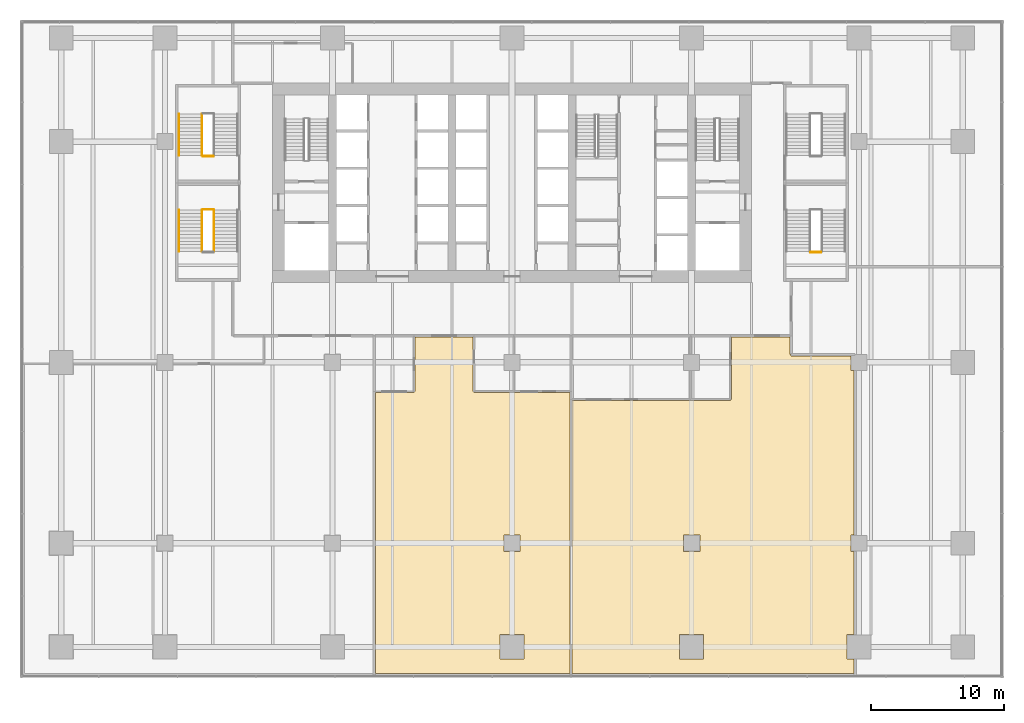
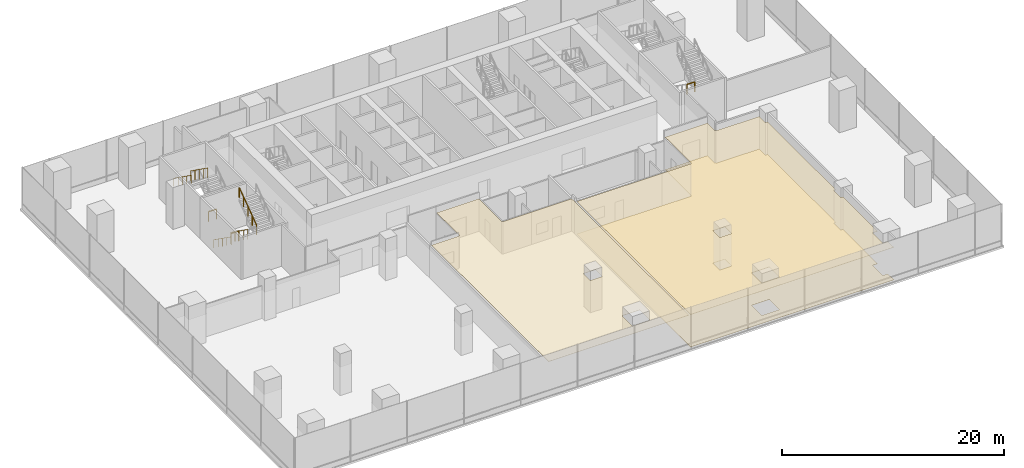
# One storey, part 25 of 28: 8 railings, 3 coverings.
"""IFC4 building model written with IfcOpenShell, lengths in metres."""

from ifc_helpers import new_model, si_unit, direction, frame, origin, origin_2d, place, context, subcontext, project, spatial, polyline, rectangle, outline, extrude, material, layer, layer_set, type_object, element, save


model = new_model("IFC4")

# Units and contexts
model_context = context("Model", 3, precision=1e-05, world=origin(), true_north=direction((0.0, 1.0)))
body_context = subcontext(model_context, "Body", "Model", "MODEL_VIEW")
ifc_project = project(units=[si_unit("LENGTHUNIT", "METRE"), si_unit("AREAUNIT", "SQUARE_METRE"), si_unit("VOLUMEUNIT", "CUBIC_METRE"), si_unit("PLANEANGLEUNIT", "RADIAN"), si_unit("MASSUNIT", "GRAM", prefix="KILO")], contexts=[model_context])

# Site, building, storey
site_placement = place(None, origin())
site = spatial("IfcSite", under=ifc_project, at=site_placement, CompositionType="ELEMENT")
building_placement = place(site_placement, origin())
building = spatial("IfcBuilding", under=site, at=building_placement, Name="Rattan Terrace Tower", CompositionType="ELEMENT")
storey_placement = place(building_placement, frame((0.0, 0.0, 17.39990234375)))
storey = spatial("IfcBuildingStorey", under=building, at=storey_placement, Name="L03", CompositionType="ELEMENT", Elevation=17.39990234375)

# Railings
ifc_material_1 = material(Name="Powder-coated steel guard", Category="steel")
railing_type_1 = type_object("IfcRailingType", Name="Core stair guard", PredefinedType="GUARDRAIL", material=ifc_material_1)
railing_1_placement = place(storey_placement, frame((-23.300048828125, -2.050048828125, 0.184814453125)))
element("IfcRailing", 1, at=railing_1_placement, inside=storey, type_object=railing_type_1, Name="L03 S4 stair guard 1", PredefinedType="GUARDRAIL", context=body_context, shape_type="SweptSolid", body=[
    extrude(rectangle(XDim=0.048095703125, YDim=0.048095703125, at=origin_2d()), frame((0.0, 0.0, 1.076171875), z_axis=(0.0, -0.815355575968, 0.57896052088), x_axis=(1.0, 0.0, 0.0)), (0.0, 0.0, 1.0), 3.826416015625),
    extrude(rectangle(XDim=0.0419921875, YDim=0.0419921875, at=origin_2d()), origin(), (0.0, 0.0, 1.0), 1.052001953125),
    extrude(rectangle(XDim=0.0419921875, YDim=0.0419921875, at=origin_2d()), frame((0.0, -0.780029296875, 0.5537109375)), (0.0, 0.0, 1.0), 1.052001953125),
    extrude(rectangle(XDim=0.0419921875, YDim=0.0419921875, at=origin_2d()), frame((0.0, -1.56005859375, 1.107666015625)), (0.0, 0.0, 1.0), 1.052001953125),
    extrude(rectangle(XDim=0.0419921875, YDim=0.0419921875, at=origin_2d()), frame((0.0, -2.33984375, 1.66162109375)), (0.0, 0.0, 1.0), 1.052001953125),
    extrude(rectangle(XDim=0.0419921875, YDim=0.0419921875, at=origin_2d()), frame((0.0, -3.119873046875, 2.21533203125)), (0.0, 0.0, 1.0), 1.052001953125),
])
railing_2_placement = place(storey_placement, frame((-22.39990234375, -5.169921875, 2.584716796875)))
element("IfcRailing", 2, at=railing_2_placement, inside=storey, type_object=railing_type_1, Name="L03 S4 stair guard 3", PredefinedType="GUARDRAIL", context=body_context, shape_type="SweptSolid", body=[
    extrude(rectangle(XDim=0.048095703125, YDim=0.048095703125, at=origin_2d()), frame((0.0, 0.0, 1.076171875), z_axis=(0.0, 0.815355575968, 0.57896052088), x_axis=(-1.0, 0.0, 0.0)), (0.0, 0.0, 1.0), 3.826416015625),
    extrude(rectangle(XDim=0.0419921875, YDim=0.0419921875, at=origin_2d()), origin(), (0.0, 0.0, 1.0), 1.052001953125),
    extrude(rectangle(XDim=0.0419921875, YDim=0.0419921875, at=origin_2d()), frame((0.0, 0.780029296875, 0.5537109375)), (0.0, 0.0, 1.0), 1.052001953125),
    extrude(rectangle(XDim=0.0419921875, YDim=0.0419921875, at=origin_2d()), frame((0.0, 1.56005859375, 1.107666015625)), (0.0, 0.0, 1.0), 1.052001953125),
    extrude(rectangle(XDim=0.0419921875, YDim=0.0419921875, at=origin_2d()), frame((0.0, 2.33984375, 1.66162109375)), (0.0, 0.0, 1.0), 1.052001953125),
    extrude(rectangle(XDim=0.0419921875, YDim=0.0419921875, at=origin_2d()), frame((0.0, 3.119873046875, 2.21533203125)), (0.0, 0.0, 1.0), 1.052001953125),
])
railing_3_placement = place(storey_placement, frame((-23.25, -2.0, 0.0)))
element("IfcRailing", 3, at=railing_3_placement, inside=storey, type_object=railing_type_1, Name="L03 S4 stair guard 4", PredefinedType="GUARDRAIL", context=body_context, shape_type="SweptSolid", body=[
    extrude(rectangle(XDim=0.048095703125, YDim=0.048095703125, at=origin_2d()), frame((0.0, 0.0, 1.076171875), z_axis=(1.0, 0.0, 0.0), x_axis=(0.0, 1.0, 0.0)), (0.0, 0.0, 1.0), 0.800048828125),
    extrude(rectangle(XDim=0.0419921875, YDim=0.0419921875, at=origin_2d()), origin(), (0.0, 0.0, 1.0), 1.052001953125),
    extrude(rectangle(XDim=0.0419921875, YDim=0.0419921875, at=origin_2d()), frame((0.800048828125, 0.0, 0.0)), (0.0, 0.0, 1.0), 1.052001953125),
])
railing_4_placement = place(storey_placement, frame((-23.300048828125, 5.169921875, 2.584716796875)))
element("IfcRailing", 4, at=railing_4_placement, inside=storey, type_object=railing_type_1, Name="L03 S5 stair guard 3", PredefinedType="GUARDRAIL", context=body_context, shape_type="SweptSolid", body=[
    extrude(rectangle(XDim=0.048095703125, YDim=0.048095703125, at=origin_2d()), frame((0.0, 0.0, 1.076171875), z_axis=(0.0, -0.815355575968, 0.57896052088), x_axis=(1.0, 0.0, 0.0)), (0.0, 0.0, 1.0), 3.826416015625),
    extrude(rectangle(XDim=0.0419921875, YDim=0.0419921875, at=origin_2d()), origin(), (0.0, 0.0, 1.0), 1.052001953125),
    extrude(rectangle(XDim=0.0419921875, YDim=0.0419921875, at=origin_2d()), frame((0.0, -0.780029296875, 0.5537109375)), (0.0, 0.0, 1.0), 1.052001953125),
    extrude(rectangle(XDim=0.0419921875, YDim=0.0419921875, at=origin_2d()), frame((0.0, -1.56005859375, 1.107666015625)), (0.0, 0.0, 1.0), 1.052001953125),
    extrude(rectangle(XDim=0.0419921875, YDim=0.0419921875, at=origin_2d()), frame((0.0, -2.33984375, 1.66162109375)), (0.0, 0.0, 1.0), 1.052001953125),
    extrude(rectangle(XDim=0.0419921875, YDim=0.0419921875, at=origin_2d()), frame((0.0, -3.119873046875, 2.21533203125)), (0.0, 0.0, 1.0), 1.052001953125),
])
railing_5_placement = place(storey_placement, frame((-22.449951171875, 2.0, 0.0)))
element("IfcRailing", 5, at=railing_5_placement, inside=storey, type_object=railing_type_1, Name="L03 S5 stair guard 4", PredefinedType="GUARDRAIL", context=body_context, shape_type="SweptSolid", body=[
    extrude(rectangle(XDim=0.048095703125, YDim=0.048095703125, at=origin_2d()), frame((0.0, 0.0, 1.076171875), z_axis=(-1.0, 0.0, 0.0), x_axis=(0.0, -1.0, 0.0)), (0.0, 0.0, 1.0), 0.800048828125),
    extrude(rectangle(XDim=0.0419921875, YDim=0.0419921875, at=origin_2d()), origin(), (0.0, 0.0, 1.0), 1.052001953125),
    extrude(rectangle(XDim=0.0419921875, YDim=0.0419921875, at=origin_2d()), frame((-0.800048828125, 0.0, 0.0)), (0.0, 0.0, 1.0), 1.052001953125),
])
railing_6_placement = place(storey_placement, frame((22.449951171875, -5.219970703125, 2.400146484375)))
element("IfcRailing", 6, at=railing_6_placement, inside=storey, type_object=railing_type_1, Name="L03 S6 stair guard 2", PredefinedType="GUARDRAIL", context=body_context, shape_type="SweptSolid", body=[
    extrude(rectangle(XDim=0.048095703125, YDim=0.048095703125, at=origin_2d()), frame((0.0, 0.0, 1.076171875), z_axis=(1.0, 0.0, 0.0), x_axis=(0.0, 1.0, 0.0)), (0.0, 0.0, 1.0), 0.800048828125),
    extrude(rectangle(XDim=0.0419921875, YDim=0.0419921875, at=origin_2d()), origin(), (0.0, 0.0, 1.0), 1.052001953125),
    extrude(rectangle(XDim=0.0419921875, YDim=0.0419921875, at=origin_2d()), frame((0.800048828125, 0.0, 0.0)), (0.0, 0.0, 1.0), 1.052001953125),
])
ifc_material_2 = material(Name="Powder-coated steel handrail", Category="steel")
railing_type_2 = type_object("IfcRailingType", Name="Core stair handrail", PredefinedType="HANDRAIL", material=ifc_material_2)
for number, where, name in (
    (7, (-25.050048828125, -2.050048828125, 0.184814453125), "L03 S4 stair handrail 1"),
    (8, (-25.050048828125, 5.169921875, 2.584716796875), "L03 S5 stair handrail 2"),
):
    element("IfcRailing", number, at=place(storey_placement, frame(where)), inside=storey, type_object=railing_type_2, Name=name, PredefinedType="HANDRAIL", context=body_context, shape_type="SweptSolid", body=[
        extrude(rectangle(XDim=0.048095703125, YDim=0.048095703125, at=origin_2d()), frame((0.0, 0.0, 0.8759765625), z_axis=(0.0, -0.815355575968, 0.57896052088), x_axis=(1.0, 0.0, 0.0)), (0.0, 0.0, 1.0), 3.826416015625),
        extrude(rectangle(XDim=0.0419921875, YDim=0.0419921875, at=origin_2d()), origin(), (0.0, 0.0, 1.0), 0.851806640625),
        extrude(rectangle(XDim=0.0419921875, YDim=0.0419921875, at=origin_2d()), frame((0.0, -0.780029296875, 0.5537109375)), (0.0, 0.0, 1.0), 0.851806640625),
        extrude(rectangle(XDim=0.0419921875, YDim=0.0419921875, at=origin_2d()), frame((0.0, -1.56005859375, 1.107666015625)), (0.0, 0.0, 1.0), 0.851806640625),
        extrude(rectangle(XDim=0.0419921875, YDim=0.0419921875, at=origin_2d()), frame((0.0, -2.33984375, 1.66162109375)), (0.0, 0.0, 1.0), 0.851806640625),
        extrude(rectangle(XDim=0.0419921875, YDim=0.0419921875, at=origin_2d()), frame((0.0, -3.119873046875, 2.21533203125)), (0.0, 0.0, 1.0), 0.851806640625),
    ])

# Coverings
ifc_material_3 = material(Name="Polished limestone", Category="masonry")
ifc_layer_1 = layer(ifc_material_3, 0.02001953125)
ifc_layer_set_1 = layer_set([ifc_layer_1], Name="Lobby Floor Finish Stone 20")
covering_type_1 = type_object("IfcCoveringType", Name="Lobby Floor Finish Stone 20", PredefinedType="FLOORING", material=ifc_layer_set_1)
covering_1_placement = place(storey_placement, origin())
element("IfcCovering", 9, at=covering_1_placement, inside=storey, type_object=covering_type_1, Name="Floor finish L03-113", PredefinedType="FLOORING", context=body_context, shape_type="SweptSolid", body=[
    extrude(outline(polyline([(4.530029296875, -16.35009765625), (4.530029296875, -36.909912109375), (25.7099609375, -36.909912109375), (25.7099609375, -35.820068359375), (25.199951171875, -35.820068359375), (25.197998046875, -35.820068359375), (25.196044921875, -35.820068359375), (25.194091796875, -35.819091796875), (25.19189453125, -35.819091796875), (25.18994140625, -35.818115234375), (25.18896484375, -35.81689453125), (25.18701171875, -35.81591796875), (25.18603515625, -35.81396484375), (25.18408203125, -35.81298828125), (25.18310546875, -35.81103515625), (25.181884765625, -35.81005859375), (25.180908203125, -35.80810546875), (25.180908203125, -35.805908203125), (25.179931640625, -35.803955078125), (25.179931640625, -35.802001953125), (25.179931640625, -35.800048828125), (25.179931640625, -34.0), (25.179931640625, -33.998046875), (25.179931640625, -33.99609375), (25.180908203125, -33.993896484375), (25.180908203125, -33.991943359375), (25.181884765625, -33.989990234375), (25.18310546875, -33.989013671875), (25.18408203125, -33.987060546875), (25.18603515625, -33.986083984375), (25.18701171875, -33.98388671875), (25.18896484375, -33.98291015625), (25.18994140625, -33.98193359375), (25.19189453125, -33.98095703125), (25.194091796875, -33.98095703125), (25.196044921875, -33.97998046875), (25.197998046875, -33.97998046875), (25.199951171875, -33.97998046875), (25.7099609375, -33.97998046875), (25.7099609375, -27.719970703125), (25.5, -27.719970703125), (25.498046875, -27.719970703125), (25.49609375, -27.719970703125), (25.493896484375, -27.718994140625), (25.491943359375, -27.718994140625), (25.489990234375, -27.718017578125), (25.489013671875, -27.717041015625), (25.487060546875, -27.716064453125), (25.486083984375, -27.714111328125), (25.48388671875, -27.712890625), (25.48291015625, -27.7109375), (25.48193359375, -27.7099609375), (25.48095703125, -27.7080078125), (25.48095703125, -27.7060546875), (25.47998046875, -27.7041015625), (25.47998046875, -27.701904296875), (25.47998046875, -27.699951171875), (25.47998046875, -26.5), (25.47998046875, -26.498046875), (25.47998046875, -26.49609375), (25.48095703125, -26.493896484375), (25.48095703125, -26.491943359375), (25.48193359375, -26.489990234375), (25.48291015625, -26.489013671875), (25.48388671875, -26.487060546875), (25.486083984375, -26.486083984375), (25.487060546875, -26.48388671875), (25.489013671875, -26.48291015625), (25.489990234375, -26.48193359375), (25.491943359375, -26.48095703125), (25.493896484375, -26.48095703125), (25.49609375, -26.47998046875), (25.498046875, -26.47998046875), (25.5, -26.47998046875), (25.7099609375, -26.47998046875), (25.7099609375, -14.1201171875), (25.5, -14.1201171875), (25.498046875, -14.1201171875), (25.49609375, -14.1201171875), (25.493896484375, -14.118896484375), (25.491943359375, -14.118896484375), (25.489990234375, -14.117919921875), (25.489013671875, -14.116943359375), (25.487060546875, -14.115966796875), (25.486083984375, -14.114013671875), (25.48388671875, -14.113037109375), (25.48291015625, -14.111083984375), (25.48193359375, -14.110107421875), (25.48095703125, -14.10791015625), (25.48095703125, -14.10595703125), (25.47998046875, -14.10400390625), (25.47998046875, -14.10205078125), (25.47998046875, -14.10009765625), (25.47998046875, -13.0), (21.0, -13.0), (21.0, -12.909912109375), (20.909912109375, -12.909912109375), (20.909912109375, -11.574951171875), (16.5, -11.574951171875), (16.5, -16.300048828125), (16.43994140625, -16.300048828125), (16.43994140625, -16.360107421875), (13.419921875, -16.360107421875), (13.419921875, -16.35009765625), (4.530029296875, -16.35009765625)]), holes=[polyline([(12.595947265625, -35.820068359375), (12.597900390625, -35.820068359375), (12.60009765625, -35.820068359375), (14.39990234375, -35.820068359375), (14.402099609375, -35.820068359375), (14.404052734375, -35.820068359375), (14.406005859375, -35.819091796875), (14.407958984375, -35.819091796875), (14.409912109375, -35.818115234375), (14.410888671875, -35.81689453125), (14.4130859375, -35.81591796875), (14.4140625, -35.81396484375), (14.416015625, -35.81298828125), (14.4169921875, -35.81103515625), (14.41796875, -35.81005859375), (14.4189453125, -35.80810546875), (14.4189453125, -35.805908203125), (14.419921875, -35.803955078125), (14.419921875, -35.802001953125), (14.419921875, -35.800048828125), (14.419921875, -34.0), (14.419921875, -33.998046875), (14.419921875, -33.99609375), (14.4189453125, -33.993896484375), (14.4189453125, -33.991943359375), (14.41796875, -33.989990234375), (14.4169921875, -33.989013671875), (14.416015625, -33.987060546875), (14.4140625, -33.986083984375), (14.4130859375, -33.98388671875), (14.410888671875, -33.98291015625), (14.409912109375, -33.98193359375), (14.407958984375, -33.98095703125), (14.406005859375, -33.98095703125), (14.404052734375, -33.97998046875), (14.402099609375, -33.97998046875), (14.39990234375, -33.97998046875), (12.60009765625, -33.97998046875), (12.597900390625, -33.97998046875), (12.595947265625, -33.97998046875), (12.593994140625, -33.98095703125), (12.592041015625, -33.98095703125), (12.590087890625, -33.98193359375), (12.589111328125, -33.98291015625), (12.5869140625, -33.98388671875), (12.5859375, -33.986083984375), (12.583984375, -33.987060546875), (12.5830078125, -33.989013671875), (12.58203125, -33.989990234375), (12.5810546875, -33.991943359375), (12.5810546875, -33.993896484375), (12.580078125, -33.99609375), (12.580078125, -33.998046875), (12.580078125, -34.0), (12.580078125, -35.800048828125), (12.580078125, -35.802001953125), (12.580078125, -35.803955078125), (12.5810546875, -35.805908203125), (12.5810546875, -35.80810546875), (12.58203125, -35.81005859375), (12.5830078125, -35.81103515625), (12.583984375, -35.81298828125), (12.5859375, -35.81396484375), (12.5869140625, -35.81591796875), (12.589111328125, -35.81689453125), (12.590087890625, -35.818115234375), (12.592041015625, -35.819091796875), (12.593994140625, -35.819091796875), (12.595947265625, -35.820068359375)]), polyline([(12.889892578125, -27.718017578125), (12.89208984375, -27.718994140625), (12.89404296875, -27.718994140625), (12.89599609375, -27.719970703125), (12.89794921875, -27.719970703125), (12.89990234375, -27.719970703125), (14.10009765625, -27.719970703125), (14.10205078125, -27.719970703125), (14.10400390625, -27.719970703125), (14.10595703125, -27.718994140625), (14.10791015625, -27.718994140625), (14.110107421875, -27.718017578125), (14.111083984375, -27.717041015625), (14.113037109375, -27.716064453125), (14.114013671875, -27.714111328125), (14.115966796875, -27.712890625), (14.116943359375, -27.7109375), (14.117919921875, -27.7099609375), (14.118896484375, -27.7080078125), (14.118896484375, -27.7060546875), (14.1201171875, -27.7041015625), (14.1201171875, -27.701904296875), (14.1201171875, -27.699951171875), (14.1201171875, -26.5), (14.1201171875, -26.498046875), (14.1201171875, -26.49609375), (14.118896484375, -26.493896484375), (14.118896484375, -26.491943359375), (14.117919921875, -26.489990234375), (14.116943359375, -26.489013671875), (14.115966796875, -26.487060546875), (14.114013671875, -26.486083984375), (14.113037109375, -26.48388671875), (14.111083984375, -26.48291015625), (14.110107421875, -26.48193359375), (14.10791015625, -26.48095703125), (14.10595703125, -26.48095703125), (14.10400390625, -26.47998046875), (14.10205078125, -26.47998046875), (14.10009765625, -26.47998046875), (12.89990234375, -26.47998046875), (12.89794921875, -26.47998046875), (12.89599609375, -26.47998046875), (12.89404296875, -26.48095703125), (12.89208984375, -26.48095703125), (12.889892578125, -26.48193359375), (12.888916015625, -26.48291015625), (12.886962890625, -26.48388671875), (12.885986328125, -26.486083984375), (12.884033203125, -26.487060546875), (12.883056640625, -26.489013671875), (12.882080078125, -26.489990234375), (12.881103515625, -26.491943359375), (12.881103515625, -26.493896484375), (12.8798828125, -26.49609375), (12.8798828125, -26.498046875), (12.8798828125, -26.5), (12.8798828125, -27.699951171875), (12.8798828125, -27.701904296875), (12.8798828125, -27.7041015625), (12.881103515625, -27.7060546875), (12.881103515625, -27.7080078125), (12.882080078125, -27.7099609375), (12.883056640625, -27.7109375), (12.884033203125, -27.712890625), (12.885986328125, -27.714111328125), (12.886962890625, -27.716064453125), (12.888916015625, -27.717041015625), (12.889892578125, -27.718017578125)])]), origin(), (0.0, 0.0, 1.0), 0.02001953125),
])
ifc_material_4 = material(Name="Gypsum board, painted")
ifc_layer_2 = layer(ifc_material_4, 0.02490234375)
ifc_layer_set_2 = layer_set([ifc_layer_2], Name="Suspended Ceiling Gypsum 25")
covering_type_2 = type_object("IfcCoveringType", Name="Suspended Ceiling Gypsum 25", PredefinedType="CEILING", material=ifc_layer_set_2)
covering_2_placement = place(storey_placement, frame((0.0, 0.0, 3.5751953125)))
element("IfcCovering", 10, at=covering_2_placement, inside=storey, type_object=covering_type_2, Name="Ceiling L03-109", PredefinedType="CEILING", context=body_context, shape_type="SweptSolid", body=[
    extrude(outline(polyline([(-10.27001953125, -15.75), (-10.27001953125, -36.909912109375), (4.35009765625, -36.909912109375), (4.35009765625, -15.75), (0.159912109375, -15.75), (0.159912109375, -15.760009765625), (-2.860107421875, -15.760009765625), (-2.860107421875, -15.699951171875), (-2.919921875, -15.699951171875), (-2.919921875, -11.574951171875), (-7.31005859375, -11.574951171875), (-7.31005859375, -15.699951171875), (-7.360107421875, -15.699951171875), (-7.360107421875, -15.75), (-10.27001953125, -15.75)]), holes=[polyline([(-0.906005859375, -35.819091796875), (-0.904052734375, -35.820068359375), (-0.902099609375, -35.820068359375), (-0.89990234375, -35.820068359375), (0.89990234375, -35.820068359375), (0.902099609375, -35.820068359375), (0.904052734375, -35.820068359375), (0.906005859375, -35.819091796875), (0.907958984375, -35.819091796875), (0.909912109375, -35.818115234375), (0.910888671875, -35.81689453125), (0.9130859375, -35.81591796875), (0.9140625, -35.81396484375), (0.916015625, -35.81298828125), (0.9169921875, -35.81103515625), (0.91796875, -35.81005859375), (0.9189453125, -35.80810546875), (0.9189453125, -35.805908203125), (0.919921875, -35.803955078125), (0.919921875, -35.802001953125), (0.919921875, -35.800048828125), (0.919921875, -34.0), (0.919921875, -33.998046875), (0.919921875, -33.99609375), (0.9189453125, -33.993896484375), (0.9189453125, -33.991943359375), (0.91796875, -33.989990234375), (0.9169921875, -33.989013671875), (0.916015625, -33.987060546875), (0.9140625, -33.986083984375), (0.9130859375, -33.98388671875), (0.910888671875, -33.98291015625), (0.909912109375, -33.98193359375), (0.907958984375, -33.98095703125), (0.906005859375, -33.98095703125), (0.904052734375, -33.97998046875), (0.902099609375, -33.97998046875), (0.89990234375, -33.97998046875), (-0.89990234375, -33.97998046875), (-0.902099609375, -33.97998046875), (-0.904052734375, -33.97998046875), (-0.906005859375, -33.98095703125), (-0.907958984375, -33.98095703125), (-0.909912109375, -33.98193359375), (-0.910888671875, -33.98291015625), (-0.9130859375, -33.98388671875), (-0.9140625, -33.986083984375), (-0.916015625, -33.987060546875), (-0.9169921875, -33.989013671875), (-0.91796875, -33.989990234375), (-0.9189453125, -33.991943359375), (-0.9189453125, -33.993896484375), (-0.919921875, -33.99609375), (-0.919921875, -33.998046875), (-0.919921875, -34.0), (-0.919921875, -35.800048828125), (-0.919921875, -35.802001953125), (-0.919921875, -35.803955078125), (-0.9189453125, -35.805908203125), (-0.9189453125, -35.80810546875), (-0.91796875, -35.81005859375), (-0.9169921875, -35.81103515625), (-0.916015625, -35.81298828125), (-0.9140625, -35.81396484375), (-0.9130859375, -35.81591796875), (-0.910888671875, -35.81689453125), (-0.909912109375, -35.818115234375), (-0.907958984375, -35.819091796875), (-0.906005859375, -35.819091796875)]), polyline([(-0.610107421875, -27.718017578125), (-0.60791015625, -27.718994140625), (-0.60595703125, -27.718994140625), (-0.60400390625, -27.719970703125), (-0.60205078125, -27.719970703125), (-0.60009765625, -27.719970703125), (0.60009765625, -27.719970703125), (0.60205078125, -27.719970703125), (0.60400390625, -27.719970703125), (0.60595703125, -27.718994140625), (0.60791015625, -27.718994140625), (0.610107421875, -27.718017578125), (0.611083984375, -27.717041015625), (0.613037109375, -27.716064453125), (0.614013671875, -27.714111328125), (0.615966796875, -27.712890625), (0.616943359375, -27.7109375), (0.617919921875, -27.7099609375), (0.618896484375, -27.7080078125), (0.618896484375, -27.7060546875), (0.6201171875, -27.7041015625), (0.6201171875, -27.701904296875), (0.6201171875, -27.699951171875), (0.6201171875, -26.5), (0.6201171875, -26.498046875), (0.6201171875, -26.49609375), (0.618896484375, -26.493896484375), (0.618896484375, -26.491943359375), (0.617919921875, -26.489990234375), (0.616943359375, -26.489013671875), (0.615966796875, -26.487060546875), (0.614013671875, -26.486083984375), (0.613037109375, -26.48388671875), (0.611083984375, -26.48291015625), (0.610107421875, -26.48193359375), (0.60791015625, -26.48095703125), (0.60595703125, -26.48095703125), (0.60400390625, -26.47998046875), (0.60205078125, -26.47998046875), (0.60009765625, -26.47998046875), (-0.60009765625, -26.47998046875), (-0.60205078125, -26.47998046875), (-0.60400390625, -26.47998046875), (-0.60595703125, -26.48095703125), (-0.60791015625, -26.48095703125), (-0.610107421875, -26.48193359375), (-0.611083984375, -26.48291015625), (-0.613037109375, -26.48388671875), (-0.614013671875, -26.486083984375), (-0.615966796875, -26.487060546875), (-0.616943359375, -26.489013671875), (-0.617919921875, -26.489990234375), (-0.618896484375, -26.491943359375), (-0.618896484375, -26.493896484375), (-0.6201171875, -26.49609375), (-0.6201171875, -26.498046875), (-0.6201171875, -26.5), (-0.6201171875, -27.699951171875), (-0.6201171875, -27.701904296875), (-0.6201171875, -27.7041015625), (-0.618896484375, -27.7060546875), (-0.618896484375, -27.7080078125), (-0.617919921875, -27.7099609375), (-0.616943359375, -27.7109375), (-0.615966796875, -27.712890625), (-0.614013671875, -27.714111328125), (-0.613037109375, -27.716064453125), (-0.611083984375, -27.717041015625), (-0.610107421875, -27.718017578125)])]), origin(), (0.0, 0.0, 1.0), 0.02490234375),
])
covering_3_placement = place(storey_placement, frame((0.0, 0.0, 3.5751953125)))
element("IfcCovering", 11, at=covering_3_placement, inside=storey, type_object=covering_type_2, Name="Ceiling L03-113", PredefinedType="CEILING", context=body_context, shape_type="SweptSolid", body=[
    extrude(outline(polyline([(4.530029296875, -16.35009765625), (4.530029296875, -36.909912109375), (25.7099609375, -36.909912109375), (25.7099609375, -35.820068359375), (25.199951171875, -35.820068359375), (25.197998046875, -35.820068359375), (25.196044921875, -35.820068359375), (25.194091796875, -35.819091796875), (25.19189453125, -35.819091796875), (25.18994140625, -35.818115234375), (25.18896484375, -35.81689453125), (25.18701171875, -35.81591796875), (25.18603515625, -35.81396484375), (25.18408203125, -35.81298828125), (25.18310546875, -35.81103515625), (25.181884765625, -35.81005859375), (25.180908203125, -35.80810546875), (25.180908203125, -35.805908203125), (25.179931640625, -35.803955078125), (25.179931640625, -35.802001953125), (25.179931640625, -35.800048828125), (25.179931640625, -34.0), (25.179931640625, -33.998046875), (25.179931640625, -33.99609375), (25.180908203125, -33.993896484375), (25.180908203125, -33.991943359375), (25.181884765625, -33.989990234375), (25.18310546875, -33.989013671875), (25.18408203125, -33.987060546875), (25.18603515625, -33.986083984375), (25.18701171875, -33.98388671875), (25.18896484375, -33.98291015625), (25.18994140625, -33.98193359375), (25.19189453125, -33.98095703125), (25.194091796875, -33.98095703125), (25.196044921875, -33.97998046875), (25.197998046875, -33.97998046875), (25.199951171875, -33.97998046875), (25.7099609375, -33.97998046875), (25.7099609375, -27.719970703125), (25.5, -27.719970703125), (25.498046875, -27.719970703125), (25.49609375, -27.719970703125), (25.493896484375, -27.718994140625), (25.491943359375, -27.718994140625), (25.489990234375, -27.718017578125), (25.489013671875, -27.717041015625), (25.487060546875, -27.716064453125), (25.486083984375, -27.714111328125), (25.48388671875, -27.712890625), (25.48291015625, -27.7109375), (25.48193359375, -27.7099609375), (25.48095703125, -27.7080078125), (25.48095703125, -27.7060546875), (25.47998046875, -27.7041015625), (25.47998046875, -27.701904296875), (25.47998046875, -27.699951171875), (25.47998046875, -26.5), (25.47998046875, -26.498046875), (25.47998046875, -26.49609375), (25.48095703125, -26.493896484375), (25.48095703125, -26.491943359375), (25.48193359375, -26.489990234375), (25.48291015625, -26.489013671875), (25.48388671875, -26.487060546875), (25.486083984375, -26.486083984375), (25.487060546875, -26.48388671875), (25.489013671875, -26.48291015625), (25.489990234375, -26.48193359375), (25.491943359375, -26.48095703125), (25.493896484375, -26.48095703125), (25.49609375, -26.47998046875), (25.498046875, -26.47998046875), (25.5, -26.47998046875), (25.7099609375, -26.47998046875), (25.7099609375, -14.1201171875), (25.5, -14.1201171875), (25.498046875, -14.1201171875), (25.49609375, -14.1201171875), (25.493896484375, -14.118896484375), (25.491943359375, -14.118896484375), (25.489990234375, -14.117919921875), (25.489013671875, -14.116943359375), (25.487060546875, -14.115966796875), (25.486083984375, -14.114013671875), (25.48388671875, -14.113037109375), (25.48291015625, -14.111083984375), (25.48193359375, -14.110107421875), (25.48095703125, -14.10791015625), (25.48095703125, -14.10595703125), (25.47998046875, -14.10400390625), (25.47998046875, -14.10205078125), (25.47998046875, -14.10009765625), (25.47998046875, -13.0), (21.0, -13.0), (21.0, -12.909912109375), (20.909912109375, -12.909912109375), (20.909912109375, -11.574951171875), (16.5, -11.574951171875), (16.5, -16.300048828125), (16.43994140625, -16.300048828125), (16.43994140625, -16.360107421875), (13.419921875, -16.360107421875), (13.419921875, -16.35009765625), (4.530029296875, -16.35009765625)]), holes=[polyline([(12.595947265625, -35.820068359375), (12.597900390625, -35.820068359375), (12.60009765625, -35.820068359375), (14.39990234375, -35.820068359375), (14.402099609375, -35.820068359375), (14.404052734375, -35.820068359375), (14.406005859375, -35.819091796875), (14.407958984375, -35.819091796875), (14.409912109375, -35.818115234375), (14.410888671875, -35.81689453125), (14.4130859375, -35.81591796875), (14.4140625, -35.81396484375), (14.416015625, -35.81298828125), (14.4169921875, -35.81103515625), (14.41796875, -35.81005859375), (14.4189453125, -35.80810546875), (14.4189453125, -35.805908203125), (14.419921875, -35.803955078125), (14.419921875, -35.802001953125), (14.419921875, -35.800048828125), (14.419921875, -34.0), (14.419921875, -33.998046875), (14.419921875, -33.99609375), (14.4189453125, -33.993896484375), (14.4189453125, -33.991943359375), (14.41796875, -33.989990234375), (14.4169921875, -33.989013671875), (14.416015625, -33.987060546875), (14.4140625, -33.986083984375), (14.4130859375, -33.98388671875), (14.410888671875, -33.98291015625), (14.409912109375, -33.98193359375), (14.407958984375, -33.98095703125), (14.406005859375, -33.98095703125), (14.404052734375, -33.97998046875), (14.402099609375, -33.97998046875), (14.39990234375, -33.97998046875), (12.60009765625, -33.97998046875), (12.597900390625, -33.97998046875), (12.595947265625, -33.97998046875), (12.593994140625, -33.98095703125), (12.592041015625, -33.98095703125), (12.590087890625, -33.98193359375), (12.589111328125, -33.98291015625), (12.5869140625, -33.98388671875), (12.5859375, -33.986083984375), (12.583984375, -33.987060546875), (12.5830078125, -33.989013671875), (12.58203125, -33.989990234375), (12.5810546875, -33.991943359375), (12.5810546875, -33.993896484375), (12.580078125, -33.99609375), (12.580078125, -33.998046875), (12.580078125, -34.0), (12.580078125, -35.800048828125), (12.580078125, -35.802001953125), (12.580078125, -35.803955078125), (12.5810546875, -35.805908203125), (12.5810546875, -35.80810546875), (12.58203125, -35.81005859375), (12.5830078125, -35.81103515625), (12.583984375, -35.81298828125), (12.5859375, -35.81396484375), (12.5869140625, -35.81591796875), (12.589111328125, -35.81689453125), (12.590087890625, -35.818115234375), (12.592041015625, -35.819091796875), (12.593994140625, -35.819091796875), (12.595947265625, -35.820068359375)]), polyline([(12.889892578125, -27.718017578125), (12.89208984375, -27.718994140625), (12.89404296875, -27.718994140625), (12.89599609375, -27.719970703125), (12.89794921875, -27.719970703125), (12.89990234375, -27.719970703125), (14.10009765625, -27.719970703125), (14.10205078125, -27.719970703125), (14.10400390625, -27.719970703125), (14.10595703125, -27.718994140625), (14.10791015625, -27.718994140625), (14.110107421875, -27.718017578125), (14.111083984375, -27.717041015625), (14.113037109375, -27.716064453125), (14.114013671875, -27.714111328125), (14.115966796875, -27.712890625), (14.116943359375, -27.7109375), (14.117919921875, -27.7099609375), (14.118896484375, -27.7080078125), (14.118896484375, -27.7060546875), (14.1201171875, -27.7041015625), (14.1201171875, -27.701904296875), (14.1201171875, -27.699951171875), (14.1201171875, -26.5), (14.1201171875, -26.498046875), (14.1201171875, -26.49609375), (14.118896484375, -26.493896484375), (14.118896484375, -26.491943359375), (14.117919921875, -26.489990234375), (14.116943359375, -26.489013671875), (14.115966796875, -26.487060546875), (14.114013671875, -26.486083984375), (14.113037109375, -26.48388671875), (14.111083984375, -26.48291015625), (14.110107421875, -26.48193359375), (14.10791015625, -26.48095703125), (14.10595703125, -26.48095703125), (14.10400390625, -26.47998046875), (14.10205078125, -26.47998046875), (14.10009765625, -26.47998046875), (12.89990234375, -26.47998046875), (12.89794921875, -26.47998046875), (12.89599609375, -26.47998046875), (12.89404296875, -26.48095703125), (12.89208984375, -26.48095703125), (12.889892578125, -26.48193359375), (12.888916015625, -26.48291015625), (12.886962890625, -26.48388671875), (12.885986328125, -26.486083984375), (12.884033203125, -26.487060546875), (12.883056640625, -26.489013671875), (12.882080078125, -26.489990234375), (12.881103515625, -26.491943359375), (12.881103515625, -26.493896484375), (12.8798828125, -26.49609375), (12.8798828125, -26.498046875), (12.8798828125, -26.5), (12.8798828125, -27.699951171875), (12.8798828125, -27.701904296875), (12.8798828125, -27.7041015625), (12.881103515625, -27.7060546875), (12.881103515625, -27.7080078125), (12.882080078125, -27.7099609375), (12.883056640625, -27.7109375), (12.884033203125, -27.712890625), (12.885986328125, -27.714111328125), (12.886962890625, -27.716064453125), (12.888916015625, -27.717041015625), (12.889892578125, -27.718017578125)])]), origin(), (0.0, 0.0, 1.0), 0.02490234375),
])

save(model, "model.ifc")
